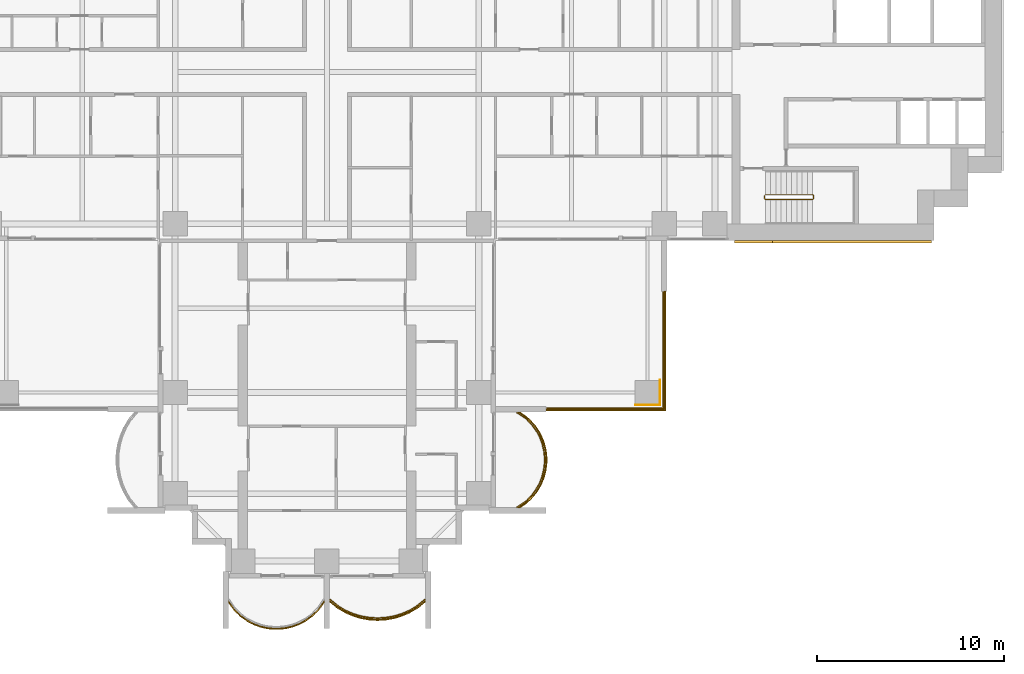
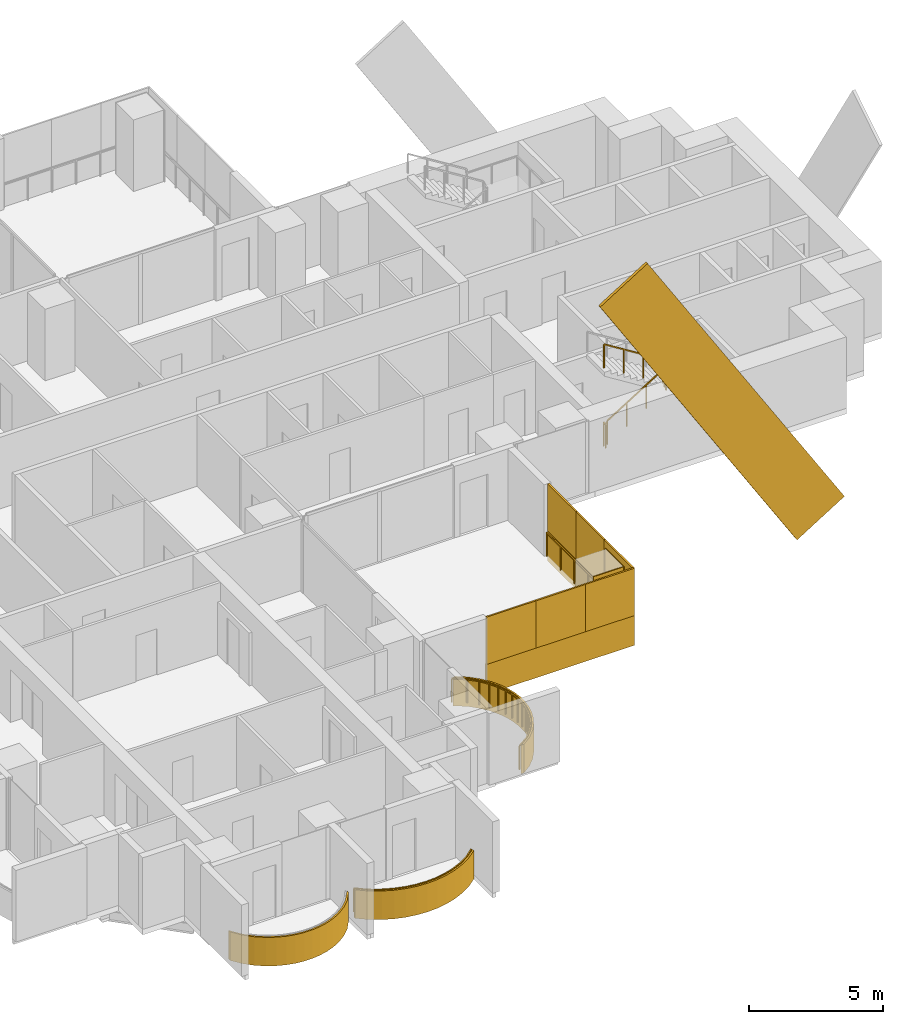
# One storey, part 19 of 22: 13 coverings, 4 railings.
"""IFC4 building model written with IfcOpenShell, lengths in metres."""

from ifc_helpers import new_model, si_unit, direction, frame, origin, origin_2d, place, context, subcontext, project, spatial, polyline, rectangle, outline, extrude, material, layer, layer_set, material_profile, profile_set, type_object, element, save


model = new_model("IFC4")

# Units and contexts
model_context = context("Model", 3, precision=1e-05, world=origin(), true_north=direction((0.0, 1.0)))
body_context = subcontext(model_context, "Body", "Model", "MODEL_VIEW")
ifc_project = project(units=[si_unit("LENGTHUNIT", "METRE"), si_unit("AREAUNIT", "SQUARE_METRE"), si_unit("VOLUMEUNIT", "CUBIC_METRE"), si_unit("PLANEANGLEUNIT", "RADIAN"), si_unit("MASSUNIT", "GRAM", prefix="KILO")], contexts=[model_context])

# Site, building, storey
site_placement = place(None, origin())
site = spatial("IfcSite", under=ifc_project, at=site_placement, CompositionType="ELEMENT")
building_placement = place(site_placement, origin())
building = spatial("IfcBuilding", under=site, at=building_placement, Name="Perihelion Cross Residences", CompositionType="ELEMENT")
storey_placement = place(building_placement, frame((0.0, 0.0, 50.5)))
storey = spatial("IfcBuildingStorey", under=building, at=storey_placement, Name="L09", CompositionType="ELEMENT", Elevation=50.5)

# Coverings
ifc_material_1 = material(Name="Bronze anodised aluminium", Category="aluminium")
ifc_layer_1 = layer(ifc_material_1, 0.070068359375)
ifc_layer_set_1 = layer_set([ifc_layer_1], Name="Balcony fascia 1300")
covering_type_1 = type_object("IfcCoveringType", Name="Balcony fascia 1300", PredefinedType="CLADDING", material=ifc_layer_set_1)
covering_1_placement = place(storey_placement, frame((0.0, 0.0, -0.199951171875)))
element("IfcCovering", 1, at=covering_1_placement, inside=storey, type_object=covering_type_1, Name="Fascia BF1 L09 south tip south bay 1", PredefinedType="CLADDING", context=body_context, shape_type="SweptSolid", body=[
    extrude(outline(polyline([(-4.963134765625, -28.722412109375), (-4.61474609375, -29.060791015625), (-4.2666015625, -29.308837890625), (-3.91845703125, -29.4912109375), (-3.5703125, -29.620361328125), (-3.22216796875, -29.703369140625), (-2.8740234375, -29.743896484375), (-2.52587890625, -29.743896484375), (-2.177734375, -29.703369140625), (-1.82958984375, -29.620361328125), (-1.4814453125, -29.4912109375), (-1.13330078125, -29.308837890625), (-0.78515625, -29.060791015625), (-0.43701171875, -28.722412109375), (-0.14990234375, -28.320556640625), (-0.14990234375, -28.199951171875), (-0.489990234375, -28.6767578125), (-0.830078125, -29.007080078125), (-1.169921875, -29.2490234375), (-1.510009765625, -29.42724609375), (-1.85009765625, -29.553466796875), (-2.18994140625, -29.63427734375), (-2.530029296875, -29.674072265625), (-2.8701171875, -29.674072265625), (-3.2099609375, -29.63427734375), (-3.550048828125, -29.553466796875), (-3.889892578125, -29.42724609375), (-4.22998046875, -29.2490234375), (-4.570068359375, -29.007080078125), (-4.909912109375, -28.6767578125), (-5.25, -28.199951171875), (-5.25, -28.320556640625), (-4.963134765625, -28.722412109375)])), origin(), (0.0, 0.0, 1.0), 1.300048828125),
])
covering_2_placement = place(storey_placement, frame((0.0, 0.0, -0.199951171875)))
element("IfcCovering", 2, at=covering_2_placement, inside=storey, type_object=covering_type_1, Name="Fascia BF1 L09 south tip south bay 2", PredefinedType="CLADDING", context=body_context, shape_type="SweptSolid", body=[
    extrude(outline(polyline([(0.53515625, -28.59765625), (0.96826171875, -28.85498046875), (1.401123046875, -29.04248046875), (1.833984375, -29.170654296875), (2.26708984375, -29.245361328125), (2.699951171875, -29.27001953125), (3.133056640625, -29.245361328125), (3.56591796875, -29.170654296875), (3.998779296875, -29.04248046875), (4.431884765625, -28.85498046875), (4.86474609375, -28.59765625), (5.25, -28.28955078125), (5.25, -28.199951171875), (4.824951171875, -28.5400390625), (4.39990234375, -28.792724609375), (3.97509765625, -28.9765625), (3.550048828125, -29.1025390625), (3.125, -29.17578125), (2.699951171875, -29.199951171875), (2.27490234375, -29.17578125), (1.85009765625, -29.1025390625), (1.425048828125, -28.9765625), (1.0, -28.792724609375), (0.574951171875, -28.5400390625), (0.14990234375, -28.199951171875), (0.14990234375, -28.28955078125), (0.53515625, -28.59765625)])), origin(), (0.0, 0.0, 1.0), 1.300048828125),
])
covering_3_placement = place(storey_placement, frame((0.0, 0.0, -0.199951171875)))
element("IfcCovering", 3, at=covering_3_placement, inside=storey, type_object=covering_type_1, Name="Fascia BF1 L09 south side east bay 1", PredefinedType="CLADDING", context=body_context, shape_type="SweptSolid", body=[
    extrude(outline(polyline([(10.722412109375, -22.963134765625), (11.060791015625, -22.61474609375), (11.308837890625, -22.2666015625), (11.4912109375, -21.91845703125), (11.620361328125, -21.5703125), (11.703369140625, -21.22216796875), (11.743896484375, -20.8740234375), (11.743896484375, -20.52587890625), (11.703369140625, -20.177734375), (11.620361328125, -19.82958984375), (11.4912109375, -19.4814453125), (11.308837890625, -19.13330078125), (11.060791015625, -18.78515625), (10.722412109375, -18.43701171875), (10.320556640625, -18.14990234375), (10.199951171875, -18.14990234375), (10.6767578125, -18.489990234375), (11.007080078125, -18.830078125), (11.2490234375, -19.169921875), (11.42724609375, -19.510009765625), (11.553466796875, -19.85009765625), (11.63427734375, -20.18994140625), (11.674072265625, -20.530029296875), (11.674072265625, -20.8701171875), (11.63427734375, -21.2099609375), (11.553466796875, -21.550048828125), (11.42724609375, -21.889892578125), (11.2490234375, -22.22998046875), (11.007080078125, -22.570068359375), (10.6767578125, -22.909912109375), (10.199951171875, -23.25), (10.320556640625, -23.25), (10.722412109375, -22.963134765625)])), origin(), (0.0, 0.0, 1.0), 1.300048828125),
])

# Railings
ifc_material_2 = material(Name="Bronze anodised aluminium", Category="aluminium")
railing_type_1 = type_object("IfcRailingType", Name="Balcony guard 1100", PredefinedType="GUARDRAIL", material=ifc_material_2)
railing_1_placement = place(storey_placement, frame((0.175048828125, -28.139892578125, 0.0)))
element("IfcRailing", 4, at=railing_1_placement, inside=storey, type_object=railing_type_1, Name="Guard GU1 L09 south tip south bay 2 balcony", PredefinedType="GUARDRAIL", context=body_context, shape_type="SweptSolid", body=[
    extrude(rectangle(XDim=0.048095703125, YDim=0.048095703125, at=origin_2d()), frame((0.0, 0.0, 1.076171875), z_axis=(0.761778647315, -0.647837396648, 0.0), x_axis=(0.647837396648, 0.761778647315, 0.0)), (0.0, 0.0, 1.0), 0.52490234375),
    extrude(rectangle(XDim=0.048095703125, YDim=0.048095703125, at=origin_2d()), frame((0.39990234375, -0.340087890625, 1.076171875), z_axis=(0.859576918062, -0.511006381501, 0.0), x_axis=(0.511006381501, 0.859576918062, 0.0)), (0.0, 0.0, 1.0), 0.494384765625),
    extrude(rectangle(XDim=0.048095703125, YDim=0.048095703125, at=origin_2d()), frame((0.824951171875, -0.5927734375, 1.076171875), z_axis=(0.917638931453, -0.397415137459, 0.0), x_axis=(0.397415137459, 0.917638931453, 0.0)), (0.0, 0.0, 1.0), 0.463134765625),
    extrude(rectangle(XDim=0.048095703125, YDim=0.048095703125, at=origin_2d()), frame((1.25, -0.77685546875, 1.076171875), z_axis=(0.958925815697, -0.283656975924, 0.0), x_axis=(0.283656975924, 0.958925815697, 0.0)), (0.0, 0.0, 1.0), 0.443359375),
    extrude(rectangle(XDim=0.048095703125, YDim=0.048095703125, at=origin_2d()), frame((1.675048828125, -0.902587890625, 1.076171875), z_axis=(0.985365142702, -0.170456843651, 0.0), x_axis=(0.170456843651, 0.985365142702, 0.0)), (0.0, 0.0, 1.0), 0.43115234375),
    extrude(rectangle(XDim=0.048095703125, YDim=0.048095703125, at=origin_2d()), frame((2.099853515625, -0.97607421875, 1.076171875), z_axis=(0.9984195016, -0.056200523353, 0.0), x_axis=(0.056200523353, 0.9984195016, 0.0)), (0.0, 0.0, 1.0), 0.42578125),
    extrude(rectangle(XDim=0.048095703125, YDim=0.048095703125, at=origin_2d()), frame((2.52490234375, -1.0, 1.076171875), z_axis=(0.9984195016, 0.056200523353, 0.0), x_axis=(-0.056200523353, 0.9984195016, 0.0)), (0.0, 0.0, 1.0), 0.42578125),
    extrude(rectangle(XDim=0.048095703125, YDim=0.048095703125, at=origin_2d()), frame((2.949951171875, -0.97607421875, 1.076171875), z_axis=(0.985381583142, 0.17036177859, 0.0), x_axis=(-0.17036177859, 0.985381583142, 0.0)), (0.0, 0.0, 1.0), 0.431396484375),
    extrude(rectangle(XDim=0.048095703125, YDim=0.048095703125, at=origin_2d()), frame((3.375, -0.902587890625, 1.076171875), z_axis=(0.958925815697, 0.283656975924, 0.0), x_axis=(-0.283656975924, 0.958925815697, 0.0)), (0.0, 0.0, 1.0), 0.443359375),
    extrude(rectangle(XDim=0.048095703125, YDim=0.048095703125, at=origin_2d()), frame((3.800048828125, -0.77685546875, 1.076171875), z_axis=(0.91755562531, 0.397607437634, 0.0), x_axis=(-0.397607437634, 0.91755562531, 0.0)), (0.0, 0.0, 1.0), 0.462890625),
    extrude(rectangle(XDim=0.048095703125, YDim=0.048095703125, at=origin_2d()), frame((4.224853515625, -0.5927734375, 1.076171875), z_axis=(0.859576918062, 0.511006381501, 0.0), x_axis=(-0.511006381501, 0.859576918062, 0.0)), (0.0, 0.0, 1.0), 0.494384765625),
    extrude(rectangle(XDim=0.048095703125, YDim=0.048095703125, at=origin_2d()), frame((4.64990234375, -0.340087890625, 1.076171875), z_axis=(0.761973728849, 0.647607934281, 0.0), x_axis=(-0.647607934281, 0.761973728849, 0.0)), (0.0, 0.0, 1.0), 0.525146484375),
    extrude(rectangle(XDim=0.0419921875, YDim=0.0419921875, at=origin_2d()), origin(), (0.0, 0.0, 1.0), 1.052001953125),
    extrude(rectangle(XDim=0.0419921875, YDim=0.0419921875, at=origin_2d()), frame((0.39990234375, -0.340087890625, 0.0)), (0.0, 0.0, 1.0), 1.052001953125),
    extrude(rectangle(XDim=0.0419921875, YDim=0.0419921875, at=origin_2d()), frame((0.824951171875, -0.5927734375, 0.0)), (0.0, 0.0, 1.0), 1.052001953125),
    extrude(rectangle(XDim=0.0419921875, YDim=0.0419921875, at=origin_2d()), frame((1.25, -0.77685546875, 0.0)), (0.0, 0.0, 1.0), 1.052001953125),
    extrude(rectangle(XDim=0.0419921875, YDim=0.0419921875, at=origin_2d()), frame((1.675048828125, -0.902587890625, 0.0)), (0.0, 0.0, 1.0), 1.052001953125),
    extrude(rectangle(XDim=0.0419921875, YDim=0.0419921875, at=origin_2d()), frame((2.099853515625, -0.97607421875, 0.0)), (0.0, 0.0, 1.0), 1.052001953125),
    extrude(rectangle(XDim=0.0419921875, YDim=0.0419921875, at=origin_2d()), frame((2.52490234375, -1.0, 0.0)), (0.0, 0.0, 1.0), 1.052001953125),
    extrude(rectangle(XDim=0.0419921875, YDim=0.0419921875, at=origin_2d()), frame((2.949951171875, -0.97607421875, 0.0)), (0.0, 0.0, 1.0), 1.052001953125),
    extrude(rectangle(XDim=0.0419921875, YDim=0.0419921875, at=origin_2d()), frame((3.375, -0.902587890625, 0.0)), (0.0, 0.0, 1.0), 1.052001953125),
    extrude(rectangle(XDim=0.0419921875, YDim=0.0419921875, at=origin_2d()), frame((3.800048828125, -0.77685546875, 0.0)), (0.0, 0.0, 1.0), 1.052001953125),
    extrude(rectangle(XDim=0.0419921875, YDim=0.0419921875, at=origin_2d()), frame((4.224853515625, -0.5927734375, 0.0)), (0.0, 0.0, 1.0), 1.052001953125),
    extrude(rectangle(XDim=0.0419921875, YDim=0.0419921875, at=origin_2d()), frame((4.64990234375, -0.340087890625, 0.0)), (0.0, 0.0, 1.0), 1.052001953125),
    extrude(rectangle(XDim=0.0419921875, YDim=0.0419921875, at=origin_2d()), frame((5.050048828125, 0.0, 0.0)), (0.0, 0.0, 1.0), 1.052001953125),
])
railing_2_placement = place(storey_placement, frame((10.139892578125, -23.22509765625, 0.0)))
element("IfcRailing", 5, at=railing_2_placement, inside=storey, type_object=railing_type_1, Name="Guard GU1 L09 south side east bay 1 balcony", PredefinedType="GUARDRAIL", context=body_context, shape_type="SweptSolid", body=[
    extrude(rectangle(XDim=0.048095703125, YDim=0.048095703125, at=origin_2d()), frame((0.0, 0.0, 1.076171875), z_axis=(0.834212513801, 0.55144309028, 0.0), x_axis=(-0.55144309028, 0.834212513801, 0.0)), (0.0, 0.0, 1.0), 0.571533203125),
    extrude(rectangle(XDim=0.048095703125, YDim=0.048095703125, at=origin_2d()), frame((0.476806640625, 0.315185546875, 1.076171875), z_axis=(0.696990112603, 0.717080736691, 0.0), x_axis=(-0.717080736691, 0.696990112603, 0.0)), (0.0, 0.0, 1.0), 0.473876953125),
    extrude(rectangle(XDim=0.048095703125, YDim=0.048095703125, at=origin_2d()), frame((0.80712890625, 0.655029296875, 1.076171875), z_axis=(0.580075995532, 0.814562360662, 0.0), x_axis=(-0.814562360662, 0.580075995532, 0.0)), (0.0, 0.0, 1.0), 0.41748046875),
    extrude(rectangle(XDim=0.048095703125, YDim=0.048095703125, at=origin_2d()), frame((1.04931640625, 0.9951171875, 1.076171875), z_axis=(0.463674228502, 0.886005761733, 0.0), x_axis=(-0.886005761733, 0.463674228502, 0.0)), (0.0, 0.0, 1.0), 0.3837890625),
    extrude(rectangle(XDim=0.048095703125, YDim=0.048095703125, at=origin_2d()), frame((1.227294921875, 1.335205078125, 1.076171875), z_axis=(0.348169621027, 0.937431552165, 0.0), x_axis=(-0.937431552165, 0.348169621027, 0.0)), (0.0, 0.0, 1.0), 0.362548828125),
    extrude(rectangle(XDim=0.048095703125, YDim=0.048095703125, at=origin_2d()), frame((1.353515625, 1.675048828125, 1.076171875), z_axis=(0.231840805498, 0.972753741142, 0.0), x_axis=(-0.972753741142, 0.231840805498, 0.0)), (0.0, 0.0, 1.0), 0.349609375),
    extrude(rectangle(XDim=0.048095703125, YDim=0.048095703125, at=origin_2d()), frame((1.4345703125, 2.01513671875, 1.076171875), z_axis=(0.11559909788, 0.993295952156, 0.0), x_axis=(-0.993295952156, 0.11559909788, 0.0)), (0.0, 0.0, 1.0), 0.342041015625),
    extrude(rectangle(XDim=0.048095703125, YDim=0.048095703125, at=origin_2d()), frame((1.47412109375, 2.35498046875, 1.076171875), z_axis=(0.0, 1.0, 0.0), x_axis=(-1.0, 0.0, 0.0)), (0.0, 0.0, 1.0), 0.340087890625),
    extrude(rectangle(XDim=0.048095703125, YDim=0.048095703125, at=origin_2d()), frame((1.47412109375, 2.695068359375, 1.076171875), z_axis=(-0.11551721994, 0.993305477634, 0.0), x_axis=(-0.993305477634, -0.11551721994, 0.0)), (0.0, 0.0, 1.0), 0.34228515625),
    extrude(rectangle(XDim=0.048095703125, YDim=0.048095703125, at=origin_2d()), frame((1.4345703125, 3.03515625, 1.076171875), z_axis=(-0.231998396458, 0.972716168284, 0.0), x_axis=(-0.972716168284, -0.231998396458, 0.0)), (0.0, 0.0, 1.0), 0.349365234375),
    extrude(rectangle(XDim=0.048095703125, YDim=0.048095703125, at=origin_2d()), frame((1.353515625, 3.375, 1.076171875), z_axis=(-0.347949948587, 0.93751311099, 0.0), x_axis=(-0.93751311099, -0.347949948587, 0.0)), (0.0, 0.0, 1.0), 0.36279296875),
    extrude(rectangle(XDim=0.048095703125, YDim=0.048095703125, at=origin_2d()), frame((1.227294921875, 3.715087890625, 1.076171875), z_axis=(-0.463674228502, 0.886005761733, 0.0), x_axis=(-0.886005761733, -0.463674228502, 0.0)), (0.0, 0.0, 1.0), 0.3837890625),
    extrude(rectangle(XDim=0.048095703125, YDim=0.048095703125, at=origin_2d()), frame((1.04931640625, 4.05517578125, 1.076171875), z_axis=(-0.580352394782, 0.814365457194, 0.0), x_axis=(-0.814365457194, -0.580352394782, 0.0)), (0.0, 0.0, 1.0), 0.417236328125),
    extrude(rectangle(XDim=0.048095703125, YDim=0.048095703125, at=origin_2d()), frame((0.80712890625, 4.39501953125, 1.076171875), z_axis=(-0.69673269466, 0.717330852669, 0.0), x_axis=(-0.717330852669, -0.69673269466, 0.0)), (0.0, 0.0, 1.0), 0.47412109375),
    extrude(rectangle(XDim=0.048095703125, YDim=0.048095703125, at=origin_2d()), frame((0.476806640625, 4.735107421875, 1.076171875), z_axis=(-0.834409002258, 0.551145731138, 0.0), x_axis=(-0.551145731138, -0.834409002258, 0.0)), (0.0, 0.0, 1.0), 0.571533203125),
    extrude(rectangle(XDim=0.0419921875, YDim=0.0419921875, at=origin_2d()), origin(), (0.0, 0.0, 1.0), 1.052001953125),
    extrude(rectangle(XDim=0.0419921875, YDim=0.0419921875, at=origin_2d()), frame((0.476806640625, 0.315185546875, 0.0)), (0.0, 0.0, 1.0), 1.052001953125),
    extrude(rectangle(XDim=0.0419921875, YDim=0.0419921875, at=origin_2d()), frame((0.80712890625, 0.655029296875, 0.0)), (0.0, 0.0, 1.0), 1.052001953125),
    extrude(rectangle(XDim=0.0419921875, YDim=0.0419921875, at=origin_2d()), frame((1.04931640625, 0.9951171875, 0.0)), (0.0, 0.0, 1.0), 1.052001953125),
    extrude(rectangle(XDim=0.0419921875, YDim=0.0419921875, at=origin_2d()), frame((1.227294921875, 1.335205078125, 0.0)), (0.0, 0.0, 1.0), 1.052001953125),
    extrude(rectangle(XDim=0.0419921875, YDim=0.0419921875, at=origin_2d()), frame((1.353515625, 1.675048828125, 0.0)), (0.0, 0.0, 1.0), 1.052001953125),
    extrude(rectangle(XDim=0.0419921875, YDim=0.0419921875, at=origin_2d()), frame((1.4345703125, 2.01513671875, 0.0)), (0.0, 0.0, 1.0), 1.052001953125),
    extrude(rectangle(XDim=0.0419921875, YDim=0.0419921875, at=origin_2d()), frame((1.47412109375, 2.35498046875, 0.0)), (0.0, 0.0, 1.0), 1.052001953125),
    extrude(rectangle(XDim=0.0419921875, YDim=0.0419921875, at=origin_2d()), frame((1.47412109375, 2.695068359375, 0.0)), (0.0, 0.0, 1.0), 1.052001953125),
    extrude(rectangle(XDim=0.0419921875, YDim=0.0419921875, at=origin_2d()), frame((1.4345703125, 3.03515625, 0.0)), (0.0, 0.0, 1.0), 1.052001953125),
    extrude(rectangle(XDim=0.0419921875, YDim=0.0419921875, at=origin_2d()), frame((1.353515625, 3.375, 0.0)), (0.0, 0.0, 1.0), 1.052001953125),
    extrude(rectangle(XDim=0.0419921875, YDim=0.0419921875, at=origin_2d()), frame((1.227294921875, 3.715087890625, 0.0)), (0.0, 0.0, 1.0), 1.052001953125),
    extrude(rectangle(XDim=0.0419921875, YDim=0.0419921875, at=origin_2d()), frame((1.04931640625, 4.05517578125, 0.0)), (0.0, 0.0, 1.0), 1.052001953125),
    extrude(rectangle(XDim=0.0419921875, YDim=0.0419921875, at=origin_2d()), frame((0.80712890625, 4.39501953125, 0.0)), (0.0, 0.0, 1.0), 1.052001953125),
    extrude(rectangle(XDim=0.0419921875, YDim=0.0419921875, at=origin_2d()), frame((0.476806640625, 4.735107421875, 0.0)), (0.0, 0.0, 1.0), 1.052001953125),
    extrude(rectangle(XDim=0.0419921875, YDim=0.0419921875, at=origin_2d()), frame((0.0, 5.050048828125, 0.0)), (0.0, 0.0, 1.0), 1.052001953125),
])
railing_3_placement = place(storey_placement, frame((17.93994140625, -11.739990234375, 0.0)))
element("IfcRailing", 6, at=railing_3_placement, inside=storey, type_object=railing_type_1, Name="Guard GU1 L09 pocket south-east 1", PredefinedType="GUARDRAIL", context=body_context, shape_type="SweptSolid", body=[
    extrude(rectangle(XDim=0.048095703125, YDim=0.048095703125, at=origin_2d()), frame((0.0, 0.0, 1.076171875), z_axis=(0.0, -1.0, 0.0), x_axis=(1.0, 0.0, 0.0)), (0.0, 0.0, 1.0), 6.199951171875),
    extrude(rectangle(XDim=0.048095703125, YDim=0.048095703125, at=origin_2d()), frame((0.0, -6.199951171875, 1.076171875), z_axis=(-1.0, 0.0, 0.0), x_axis=(0.0, -1.0, 0.0)), (0.0, 0.0, 1.0), 6.199951171875),
    extrude(rectangle(XDim=0.0419921875, YDim=0.0419921875, at=origin_2d()), origin(), (0.0, 0.0, 1.0), 1.052001953125),
    extrude(rectangle(XDim=0.0419921875, YDim=0.0419921875, at=origin_2d()), frame((0.0, -1.033203125, 0.0)), (0.0, 0.0, 1.0), 1.052001953125),
    extrude(rectangle(XDim=0.0419921875, YDim=0.0419921875, at=origin_2d()), frame((0.0, -2.066650390625, 0.0)), (0.0, 0.0, 1.0), 1.052001953125),
    extrude(rectangle(XDim=0.0419921875, YDim=0.0419921875, at=origin_2d()), frame((0.0, -3.10009765625, 0.0)), (0.0, 0.0, 1.0), 1.052001953125),
    extrude(rectangle(XDim=0.0419921875, YDim=0.0419921875, at=origin_2d()), frame((0.0, -4.13330078125, 0.0)), (0.0, 0.0, 1.0), 1.052001953125),
    extrude(rectangle(XDim=0.0419921875, YDim=0.0419921875, at=origin_2d()), frame((0.0, -5.16650390625, 0.0)), (0.0, 0.0, 1.0), 1.052001953125),
    extrude(rectangle(XDim=0.0419921875, YDim=0.0419921875, at=origin_2d()), frame((0.0, -6.199951171875, 0.0)), (0.0, 0.0, 1.0), 1.052001953125),
    extrude(rectangle(XDim=0.0419921875, YDim=0.0419921875, at=origin_2d()), frame((-1.033203125, -6.199951171875, 0.0)), (0.0, 0.0, 1.0), 1.052001953125),
    extrude(rectangle(XDim=0.0419921875, YDim=0.0419921875, at=origin_2d()), frame((-2.066650390625, -6.199951171875, 0.0)), (0.0, 0.0, 1.0), 1.052001953125),
    extrude(rectangle(XDim=0.0419921875, YDim=0.0419921875, at=origin_2d()), frame((-3.10009765625, -6.199951171875, 0.0)), (0.0, 0.0, 1.0), 1.052001953125),
    extrude(rectangle(XDim=0.0419921875, YDim=0.0419921875, at=origin_2d()), frame((-4.13330078125, -6.199951171875, 0.0)), (0.0, 0.0, 1.0), 1.052001953125),
    extrude(rectangle(XDim=0.0419921875, YDim=0.0419921875, at=origin_2d()), frame((-5.16650390625, -6.199951171875, 0.0)), (0.0, 0.0, 1.0), 1.052001953125),
    extrude(rectangle(XDim=0.0419921875, YDim=0.0419921875, at=origin_2d()), frame((-6.199951171875, -6.199951171875, 0.0)), (0.0, 0.0, 1.0), 1.052001953125),
])

# Coverings
ifc_material_3 = material(Name="Bronze anodised aluminium", Category="aluminium")
ifc_material_profile = material_profile(ifc_material_3, rectangle(XDim=0.125, YDim=2.39990234375, at=origin_2d()), Name="Bronze cladding band 2400")
ifc_profile_set = profile_set([ifc_material_profile], Name="Bronze anodised aluminium")
covering_type_2 = type_object("IfcCoveringType", Name="Bronze cladding band 2400", PredefinedType="CLADDING", material=ifc_profile_set)
covering_4_placement = place(storey_placement, frame((31.232421875, -9.0625, -4.509765625), z_axis=(-0.529924750763, 0.0, 0.848044667767), x_axis=(0.0, -1.0, 0.0)))
element("IfcCovering", 7, at=covering_4_placement, inside=storey, type_object=covering_type_2, Name="Core cladding band, east core", PredefinedType="CLADDING", context=body_context, shape_type="SweptSolid", body=[
    extrude(rectangle(XDim=0.125, YDim=2.39990234375, at=origin_2d()), origin(), (0.0, 0.0, 1.0), 15.9736328125),
])
ifc_material_4 = material(Name="Bronze anodised aluminium", Category="aluminium")
ifc_layer_2 = layer(ifc_material_4, 0.0400390625)
ifc_layer_set_2 = layer_set([ifc_layer_2], Name="Bronze column casing 40")
covering_type_3 = type_object("IfcCoveringType", Name="Bronze column casing 40", PredefinedType="CLADDING", material=ifc_layer_set_2)
covering_5_placement = place(storey_placement, frame((17.77001953125, -17.10009765625, -0.25), z_axis=(0.0, 0.0, 1.0), x_axis=(1.0, 0.0, 0.0)))
element("IfcCovering", 8, at=covering_5_placement, inside=storey, type_object=covering_type_3, Name="Cladding CC1 L09 casing east-west no. 3", PredefinedType="CLADDING", context=body_context, shape_type="SweptSolid", body=[
    extrude(rectangle(XDim=0.0400390625, YDim=1.3798828125, at=origin_2d()), origin(), (0.0, 0.0, 1.0), 3.5),
])
covering_6_placement = place(storey_placement, frame((17.10009765625, -17.77001953125, -0.25), z_axis=(0.0, 0.0, 1.0), x_axis=(1.0, 0.0, 0.0)))
element("IfcCovering", 9, at=covering_6_placement, inside=storey, type_object=covering_type_3, Name="Cladding CC1 L09 casing north-south no. 3", PredefinedType="CLADDING", context=body_context, shape_type="SweptSolid", body=[
    extrude(rectangle(XDim=1.300048828125, YDim=0.0400390625, at=origin_2d()), origin(), (0.0, 0.0, 1.0), 3.5),
])
ifc_material_5 = material(Name="Bronze anodised aluminium", Category="aluminium")
ifc_layer_3 = layer(ifc_material_5, 0.070068359375)
ifc_layer_set_3 = layer_set([ifc_layer_3], Name="Pocket fascia 1350")
covering_type_4 = type_object("IfcCoveringType", Name="Pocket fascia 1350", PredefinedType="CLADDING", material=ifc_layer_set_3)
covering_7_placement = place(storey_placement, frame((0.0, 0.0, -0.25)))
element("IfcCovering", 10, at=covering_7_placement, inside=storey, type_object=covering_type_4, Name="Fascia BF2 L09 pocket south-east 3", PredefinedType="CLADDING", context=body_context, shape_type="SweptSolid", body=[
    extrude(outline(polyline([(18.070068359375, -18.070068359375), (18.070068359375, -11.699951171875), (18.0, -11.699951171875), (18.0, -18.0), (11.699951171875, -18.0), (11.699951171875, -18.070068359375), (18.070068359375, -18.070068359375)])), origin(), (0.0, 0.0, 1.0), 1.35009765625),
])
ifc_material_6 = material(Name="Bronze perforated aluminium", Category="aluminium")
ifc_layer_4 = layer(ifc_material_6, 0.070068359375)
ifc_layer_set_4 = layer_set([ifc_layer_4], Name="Pocket solar screen, bronze perforated")
covering_type_5 = type_object("IfcCoveringType", Name="Pocket solar screen, bronze perforated", PredefinedType="CLADDING", material=ifc_layer_set_4)
covering_8_placement = place(storey_placement, frame((0.0, 0.0, 1.10009765625)))
element("IfcCovering", 11, at=covering_8_placement, inside=storey, type_object=covering_type_5, Name="Solar screen PS1 L09 pocket south-east no. 1", PredefinedType="CLADDING", context=body_context, shape_type="SweptSolid", body=[
    extrude(outline(polyline([(18.070068359375, -18.0), (18.070068359375, -15.89990234375), (18.0, -15.89990234375), (18.0, -18.0), (18.070068359375, -18.0)])), origin(), (0.0, 0.0, 1.0), 2.14990234375),
])
covering_9_placement = place(storey_placement, frame((0.0, 0.0, 1.10009765625)))
element("IfcCovering", 12, at=covering_9_placement, inside=storey, type_object=covering_type_5, Name="Solar screen PS1 L09 pocket south-east no. 2", PredefinedType="CLADDING", context=body_context, shape_type="SweptSolid", body=[
    extrude(outline(polyline([(18.070068359375, -15.89990234375), (18.070068359375, -13.800048828125), (18.0, -13.800048828125), (18.0, -15.89990234375), (18.070068359375, -15.89990234375)])), origin(), (0.0, 0.0, 1.0), 2.14990234375),
])
covering_10_placement = place(storey_placement, frame((0.0, 0.0, 1.10009765625)))
element("IfcCovering", 13, at=covering_10_placement, inside=storey, type_object=covering_type_5, Name="Solar screen PS1 L09 pocket south-east no. 3", PredefinedType="CLADDING", context=body_context, shape_type="SweptSolid", body=[
    extrude(outline(polyline([(18.070068359375, -13.800048828125), (18.070068359375, -11.699951171875), (18.0, -11.699951171875), (18.0, -13.800048828125), (18.070068359375, -13.800048828125)])), origin(), (0.0, 0.0, 1.0), 2.14990234375),
])
covering_11_placement = place(storey_placement, frame((0.0, 0.0, 1.10009765625)))
element("IfcCovering", 14, at=covering_11_placement, inside=storey, type_object=covering_type_5, Name="Solar screen PS1 L09 pocket south-east no. 4", PredefinedType="CLADDING", context=body_context, shape_type="SweptSolid", body=[
    extrude(outline(polyline([(13.8232421875, -18.070068359375), (13.8232421875, -18.0), (11.699951171875, -18.0), (11.699951171875, -18.070068359375), (13.8232421875, -18.070068359375)])), origin(), (0.0, 0.0, 1.0), 2.14990234375),
])
covering_12_placement = place(storey_placement, frame((0.0, 0.0, 1.10009765625)))
element("IfcCovering", 15, at=covering_12_placement, inside=storey, type_object=covering_type_5, Name="Solar screen PS1 L09 pocket south-east no. 5", PredefinedType="CLADDING", context=body_context, shape_type="SweptSolid", body=[
    extrude(outline(polyline([(15.94677734375, -18.070068359375), (15.94677734375, -18.0), (13.8232421875, -18.0), (13.8232421875, -18.070068359375), (15.94677734375, -18.070068359375)])), origin(), (0.0, 0.0, 1.0), 2.14990234375),
])
covering_13_placement = place(storey_placement, frame((0.0, 0.0, 1.10009765625)))
element("IfcCovering", 16, at=covering_13_placement, inside=storey, type_object=covering_type_5, Name="Solar screen PS1 L09 pocket south-east no. 6", PredefinedType="CLADDING", context=body_context, shape_type="SweptSolid", body=[
    extrude(outline(polyline([(18.070068359375, -18.070068359375), (18.070068359375, -18.0), (15.94677734375, -18.0), (15.94677734375, -18.070068359375), (18.070068359375, -18.070068359375)])), origin(), (0.0, 0.0, 1.0), 2.14990234375),
])

# Railing
ifc_material_7 = material(Name="Stainless steel", Category="steel")
railing_type_2 = type_object("IfcRailingType", Name="Stair guard 1100", PredefinedType="GUARDRAIL", material=ifc_material_7)
railing_4_placement = place(storey_placement, frame((23.35009765625, -6.60009765625, 0.0)))
element("IfcRailing", 17, at=railing_4_placement, inside=storey, type_object=railing_type_2, Name="L09 ST-E2 stair guard 1", PredefinedType="GUARDRAIL", context=body_context, shape_type="SweptSolid", body=[
    extrude(rectangle(XDim=0.048095703125, YDim=0.048095703125, at=origin_2d()), frame((0.0, 0.0, 1.076171875), z_axis=(0.0, -1.0, 0.0), x_axis=(1.0, 0.0, 0.0)), (0.0, 0.0, 1.0), 0.14990234375),
    extrude(rectangle(XDim=0.048095703125, YDim=0.048095703125, at=origin_2d()), frame((0.0, -0.14990234375, 1.076171875), z_axis=(0.263862480399, -0.265155923931, 0.927399011991), x_axis=(0.708833529934, 0.705375805398, 0.0)), (0.0, 0.0, 1.0), 0.188720703125),
    extrude(rectangle(XDim=0.048095703125, YDim=0.048095703125, at=origin_2d()), frame((0.0498046875, -0.199951171875, 1.2509765625), z_axis=(0.848007534815, 0.0, 0.529984170421), x_axis=(0.0, 1.0, 0.0)), (0.0, 0.0, 1.0), 2.9716796875),
    extrude(rectangle(XDim=0.048095703125, YDim=0.048095703125, at=origin_2d()), frame((2.56982421875, -0.199951171875, 2.826171875), z_axis=(0.707106781187, 0.707106781187, 0.0), x_axis=(-0.707106781187, 0.707106781187, 0.0)), (0.0, 0.0, 1.0), 0.07080078125),
    extrude(rectangle(XDim=0.048095703125, YDim=0.048095703125, at=origin_2d()), frame((2.619873046875, -0.14990234375, 2.826171875), z_axis=(0.0, 1.0, 0.0), x_axis=(-1.0, 0.0, 0.0)), (0.0, 0.0, 1.0), 0.14990234375),
    extrude(rectangle(XDim=0.048095703125, YDim=0.048095703125, at=origin_2d()), frame((2.619873046875, 0.0, 2.826171875), z_axis=(-0.265065253269, 0.265065253269, 0.927081885822), x_axis=(-0.707106781187, -0.707106781187, 0.0)), (0.0, 0.0, 1.0), 0.188720703125),
    extrude(rectangle(XDim=0.048095703125, YDim=0.048095703125, at=origin_2d()), frame((2.56982421875, 0.050048828125, 3.0009765625), z_axis=(-0.848007534815, 0.0, 0.529984170421), x_axis=(0.0, -1.0, 0.0)), (0.0, 0.0, 1.0), 2.9716796875),
    extrude(rectangle(XDim=0.0419921875, YDim=0.0419921875, at=origin_2d()), origin(), (0.0, 0.0, 1.0), 1.052001953125),
    extrude(rectangle(XDim=0.0419921875, YDim=0.0419921875, at=origin_2d()), frame((0.0, -0.14990234375, 0.0)), (0.0, 0.0, 1.0), 1.052001953125),
    extrude(rectangle(XDim=0.0419921875, YDim=0.0419921875, at=origin_2d()), frame((0.0498046875, -0.199951171875, 0.175048828125)), (0.0, 0.0, 1.0), 1.052001953125),
    extrude(rectangle(XDim=0.0419921875, YDim=0.0419921875, at=origin_2d()), frame((0.889892578125, -0.199951171875, 0.699951171875)), (0.0, 0.0, 1.0), 1.052001953125),
    extrude(rectangle(XDim=0.0419921875, YDim=0.0419921875, at=origin_2d()), frame((1.729736328125, -0.199951171875, 1.22509765625)), (0.0, 0.0, 1.0), 1.052001953125),
    extrude(rectangle(XDim=0.0419921875, YDim=0.0419921875, at=origin_2d()), frame((2.56982421875, -0.199951171875, 1.75)), (0.0, 0.0, 1.0), 1.052001953125),
    extrude(rectangle(XDim=0.0419921875, YDim=0.0419921875, at=origin_2d()), frame((2.619873046875, -0.14990234375, 1.75)), (0.0, 0.0, 1.0), 1.052001953125),
    extrude(rectangle(XDim=0.0419921875, YDim=0.0419921875, at=origin_2d()), frame((2.619873046875, 0.0, 1.75)), (0.0, 0.0, 1.0), 1.052001953125),
    extrude(rectangle(XDim=0.0419921875, YDim=0.0419921875, at=origin_2d()), frame((2.56982421875, 0.050048828125, 1.925048828125)), (0.0, 0.0, 1.0), 1.052001953125),
    extrude(rectangle(XDim=0.0419921875, YDim=0.0419921875, at=origin_2d()), frame((1.729736328125, 0.050048828125, 2.449951171875)), (0.0, 0.0, 1.0), 1.052001953125),
    extrude(rectangle(XDim=0.0419921875, YDim=0.0419921875, at=origin_2d()), frame((0.889892578125, 0.050048828125, 2.97509765625)), (0.0, 0.0, 1.0), 1.052001953125),
    extrude(rectangle(XDim=0.0419921875, YDim=0.0419921875, at=origin_2d()), frame((0.0498046875, 0.050048828125, 3.5)), (0.0, 0.0, 1.0), 1.052001953125),
])

save(model, "model.ifc")
